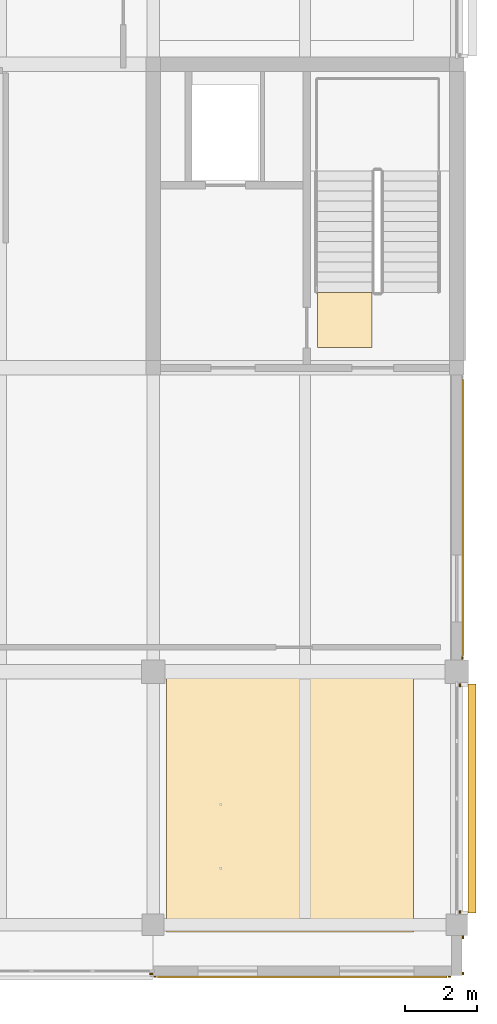
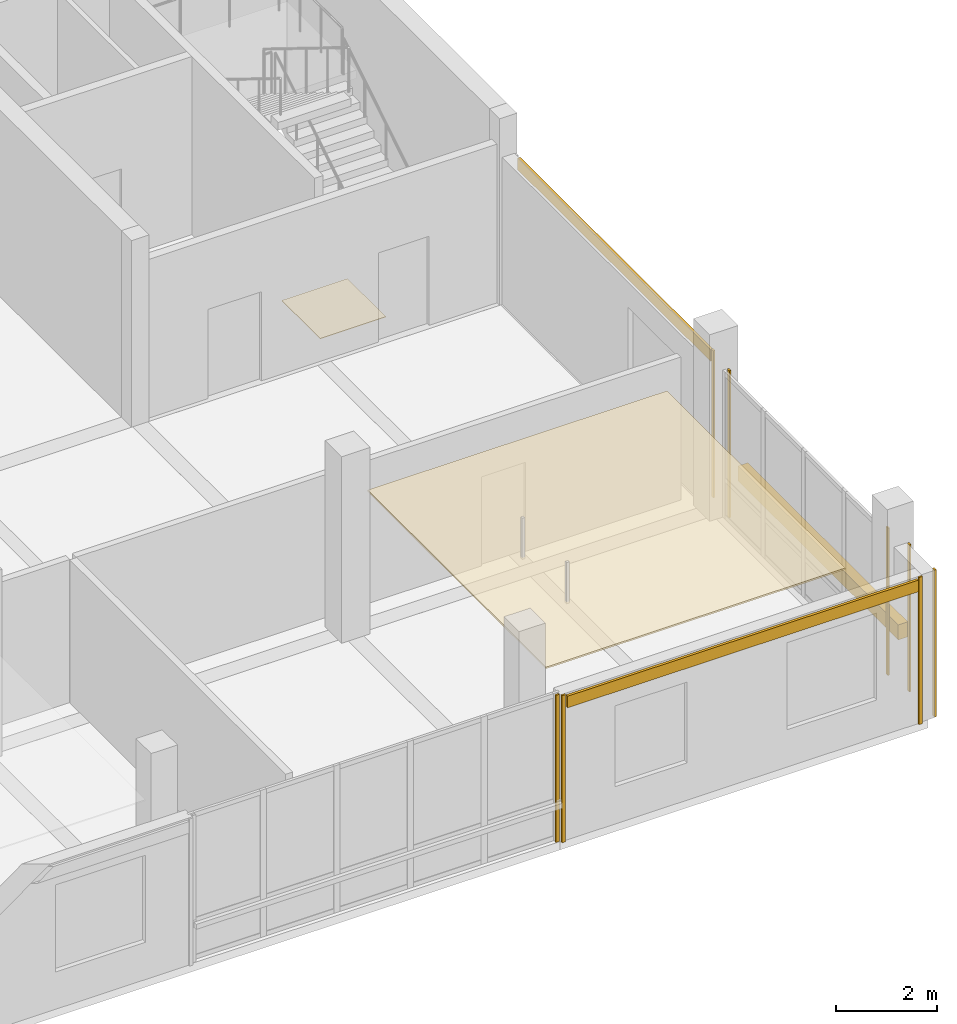
# One storey, part 26 of 29: 12 coverings, 1 shading device.
"""IFC4 building model written with IfcOpenShell, lengths in metres."""

import ifcopenshell
import ifcopenshell.guid

model = None  # the IFC model being written
_history = None  # IfcOwnerHistory: only IFC2X3 demands one
_inside = {}  # id of a spatial element -> (the spatial element, [elements in it])
_under = {}  # id of a project, library or spatial element -> (it, [spatial elements below it])
_declared = {}  # id of a project -> (the project, [libraries it declares])
_typed = {}  # id of a type object -> (the type object, [elements of that type])
_made_of = {}  # id of a material, layer set ... -> (it, [elements and type objects made of it])


def new_model(schema):
    """Start an empty IFC model of exactly this schema.

    Asked for "IFC4X3", IfcOpenShell would pick the latest addendum, in which some entities
    have other attributes; the version numbers below select the first issue.
    IFC2X3 requires an IfcOwnerHistory on every rooted entity: one is made here for all.
    """
    global model, _history
    if schema == "IFC4X3":
        model = ifcopenshell.file(schema_version=(4, 3, 0, 0))
    else:
        model = ifcopenshell.file(schema=schema)
    _inside.clear()
    _under.clear()
    _declared.clear()
    _typed.clear()
    _made_of.clear()
    _history = None
    if model.schema == "IFC2X3":
        org = make("IfcOrganization", Name="unknown")
        user = make(
            "IfcPersonAndOrganization",
            ThePerson=make("IfcPerson", FamilyName="unknown"),
            TheOrganization=org,
        )
        app = make(
            "IfcApplication",
            ApplicationDeveloper=org,
            Version="unknown",
            ApplicationFullName="unknown",
            ApplicationIdentifier="unknown",
        )
        _history = make(
            "IfcOwnerHistory",
            OwningUser=user,
            OwningApplication=app,
            ChangeAction="ADDED",
            CreationDate=0,
        )
    return model


def make(cls, **values):
    """One entity of the class cls with the attributes given. An attribute that is None is left unset."""
    return model.create_entity(
        cls, **{name: value for name, value in values.items() if value is not None}
    )


def rooted(cls, **values):
    """An entity with a GlobalId (a new one), such as an element, a storey or a relation."""
    return make(cls, GlobalId=ifcopenshell.guid.new(), OwnerHistory=_history, **values)


def si_unit(unit_type, name, prefix=None):
    """IfcSIUnit, for example si_unit("LENGTHUNIT", "METRE", prefix="MILLI")."""
    return make("IfcSIUnit", UnitType=unit_type, Prefix=prefix, Name=name)


def assignment(units):
    """IfcUnitAssignment: the units of a project."""
    return None if units is None else make("IfcUnitAssignment", Units=units)


def point(xyz):
    """IfcCartesianPoint."""
    return None if xyz is None else make("IfcCartesianPoint", Coordinates=xyz)


def direction(xyz):
    """IfcDirection."""
    return None if xyz is None else make("IfcDirection", DirectionRatios=xyz)


def frame(location, z_axis=None, x_axis=None):
    """IfcAxis2Placement3D, a coordinate frame: its origin and axes. An axis left out is left unset."""
    return make(
        "IfcAxis2Placement3D",
        Location=point(location),
        Axis=direction(z_axis),
        RefDirection=direction(x_axis),
    )


def frame_2d(location, x_axis=None):
    """IfcAxis2Placement2D, a coordinate frame in the plane: its origin and x axis."""
    return make(
        "IfcAxis2Placement2D", Location=point(location), RefDirection=direction(x_axis)
    )


def origin():
    """The frame at (0, 0, 0) with its axes left unset."""
    return frame((0.0, 0.0, 0.0))


def origin_2d():
    """The frame at (0, 0) in the plane with its x axis left unset."""
    return frame_2d((0.0, 0.0))


def place(relative_to, where):
    """IfcLocalPlacement: puts the frame where relative to a parent placement (None: the world)."""
    return make(
        "IfcLocalPlacement", PlacementRelTo=relative_to, RelativePlacement=where
    )


def context(
    kind, dimensions, precision=None, world=None, true_north=None, identifier=None
):
    """IfcGeometricRepresentationContext, for example the 3D "Model" context."""
    return make(
        "IfcGeometricRepresentationContext",
        ContextIdentifier=identifier,
        ContextType=kind,
        CoordinateSpaceDimension=dimensions,
        Precision=precision,
        WorldCoordinateSystem=world,
        TrueNorth=true_north,
    )


def subcontext(parent, identifier, kind, view, scale=None):
    """IfcGeometricRepresentationSubContext, for example "Body" below "Model"."""
    return make(
        "IfcGeometricRepresentationSubContext",
        ContextIdentifier=identifier,
        ContextType=kind,
        ParentContext=parent,
        TargetScale=scale,
        TargetView=view,
    )


def project(units=None, contexts=None):
    """IfcProject with its units and contexts."""
    return rooted(
        "IfcProject",
        Name="project",
        RepresentationContexts=contexts,
        UnitsInContext=assignment(units),
    )


def spatial(cls, under=None, at=None, **own):
    """A site, building, storey or space (cls), placed at a placement, below another one or the project."""
    s = rooted(cls, ObjectPlacement=at, **own)
    if under is not None:
        _under.setdefault(under.id(), (under, []))[1].append(s)
    return s


def polyline(points):
    """IfcPolyline through the points."""
    return make("IfcPolyline", Points=[point(p) for p in points])


def profile(cls, at=None, kind="AREA", **sizes):
    """A parametric profile (cls). Its sizes go by their IFC names, for example OverallWidth=200.0."""
    return make(cls, ProfileType=kind, Position=at, **sizes)


def rectangle(**sizes):
    """IfcRectangleProfileDef."""
    return profile("IfcRectangleProfileDef", **sizes)


def outline(outer, holes=None, kind="AREA"):
    """IfcArbitraryClosedProfileDef: a profile drawn as a closed curve; with holes, ...WithVoids."""
    if holes is None:
        return make("IfcArbitraryClosedProfileDef", ProfileType=kind, OuterCurve=outer)
    return make(
        "IfcArbitraryProfileDefWithVoids",
        ProfileType=kind,
        OuterCurve=outer,
        InnerCurves=holes,
    )


def extrude(swept, where, along, depth):
    """IfcExtrudedAreaSolid: the profile swept, set in the frame where, extruded along a direction by depth."""
    return make(
        "IfcExtrudedAreaSolid",
        SweptArea=swept,
        Position=where,
        ExtrudedDirection=direction(along),
        Depth=depth,
    )


def shape(context_of_items, identifier, shape_type, items):
    """IfcShapeRepresentation: the items that make up one representation, for example the "Body"."""
    return make(
        "IfcShapeRepresentation",
        ContextOfItems=context_of_items,
        RepresentationIdentifier=identifier,
        RepresentationType=shape_type,
        Items=items,
    )


def material(Name=None, Category=None):
    """IfcMaterial."""
    return make("IfcMaterial", Name=Name, Category=Category)


def layer(
    of_material, thickness, ventilated=None, Name=None, Category=None, Priority=None
):
    """IfcMaterialLayer: one layer of a wall or slab, of a material (None: an air gap)."""
    return make(
        "IfcMaterialLayer",
        Material=of_material,
        LayerThickness=thickness,
        IsVentilated=ventilated,
        Name=Name,
        Category=Category,
        Priority=Priority,
    )


def layer_set(layers, Name=None):
    """IfcMaterialLayerSet."""
    return make("IfcMaterialLayerSet", MaterialLayers=layers, LayerSetName=Name)


def made_of(thing, what):
    """Note that an element or type object is made of a material, layer set ...; save() writes the relation."""
    if what is not None:
        _made_of.setdefault(what.id(), (what, []))[1].append(thing)
    return thing


def type_object(cls, material=None, **own):
    """A type object (cls), such as IfcWallType, which elements share."""
    return made_of(rooted(cls, **own), material)


def element(
    cls,
    number,
    at=None,
    inside=None,
    cuts=None,
    type_object=None,
    material=None,
    context=None,
    identifier="Body",
    shape_type=None,
    held_by="IfcProductDefinitionShape",
    body=None,
    shapes=None,
    **own,
):
    """One element of the class cls, such as IfcWall. Its Tag is "e" and its number.

    at: its placement. inside: the storey or other place that contains it. cuts: it is an
    opening in that element (IfcRelVoidsElement). A single representation is given by context,
    identifier, shape_type and body (its items); several are given by shapes. held_by: the class
    of the entity that holds the representations. save() writes the other relations.
    """
    e = rooted(cls, Tag="e%d" % number, ObjectPlacement=at, **own)
    if body is not None:
        shapes = [shape(context, identifier, shape_type, body)]
    if shapes is not None:
        e.Representation = make(held_by, Representations=shapes)
    if inside is not None:
        _inside.setdefault(inside.id(), (inside, []))[1].append(e)
    if cuts is not None:
        rooted(
            "IfcRelVoidsElement", RelatingBuildingElement=cuts, RelatedOpeningElement=e
        )
    if type_object is not None:
        _typed.setdefault(type_object.id(), (type_object, []))[1].append(e)
    return made_of(e, material)


def aggregate(whole, parts):
    """IfcRelAggregates: a whole, such as a stair, and the parts it consists of."""
    return rooted("IfcRelAggregates", RelatingObject=whole, RelatedObjects=parts)


def save(model, path):
    """Write the relations noted so far, then the file.

    IfcRelAggregates (storeys below a building ...), IfcRelContainedInSpatialStructure (elements
    in a storey), IfcRelDefinesByType, IfcRelAssociatesMaterial and IfcRelDeclares: one each for
    every whole, place, type object, material and project.
    """
    for whole, parts in _under.values():
        aggregate(whole, parts)
    for where, things in _inside.values():
        rooted(
            "IfcRelContainedInSpatialStructure",
            RelatedElements=things,
            RelatingStructure=where,
        )
    for kind, things in _typed.values():
        rooted("IfcRelDefinesByType", RelatedObjects=things, RelatingType=kind)
    for what, things in _made_of.values():
        rooted("IfcRelAssociatesMaterial", RelatedObjects=things, RelatingMaterial=what)
    for by, libraries in _declared.values():
        rooted("IfcRelDeclares", RelatingContext=by, RelatedDefinitions=libraries)
    model.write(path)


model = new_model("IFC4")

# Units and contexts
model_context = context("Model", 3, precision=1e-05, world=origin(), true_north=direction((0.0, 1.0)))
body_context = subcontext(model_context, "Body", "Model", "MODEL_VIEW")
ifc_project = project(units=[si_unit("LENGTHUNIT", "METRE"), si_unit("AREAUNIT", "SQUARE_METRE"), si_unit("VOLUMEUNIT", "CUBIC_METRE"), si_unit("PLANEANGLEUNIT", "RADIAN"), si_unit("MASSUNIT", "GRAM", prefix="KILO")], contexts=[model_context])

# Site, building, storey
site_placement = place(None, origin())
site = spatial("IfcSite", under=ifc_project, at=site_placement, CompositionType="ELEMENT")
building_placement = place(site_placement, origin())
building = spatial("IfcBuilding", under=site, at=building_placement, Name="Telukmera Botanical Conservatory", CompositionType="ELEMENT")
storey_placement = place(building_placement, frame((0.0, 0.0, 55.5)))
storey = spatial("IfcBuildingStorey", under=building, at=storey_placement, Name="L12", CompositionType="ELEMENT", Elevation=55.5)

# Coverings
ifc_material_1 = material(Name="Perforated gypsum acoustic ceiling")
ifc_layer_1 = layer(ifc_material_1, 0.0400390625)
ifc_layer_set_1 = layer_set([ifc_layer_1], Name="Perforated gypsum acoustic ceiling")
covering_type_1 = type_object("IfcCoveringType", Name="COV-CEIL-40", PredefinedType="CEILING", material=ifc_layer_set_1)
covering_1_placement = place(storey_placement, frame((0.0, 0.0, 3.31005859375)))
element("IfcCovering", 1, at=covering_1_placement, inside=storey, type_object=covering_type_1, Name="L12 Laboratory Write-Up Studio Suspended Acoustic Ceiling", PredefinedType="CEILING", context=body_context, shape_type="SweptSolid", body=[
    extrude(outline(polyline([(92.77001953125, 10.39990234375), (99.60009765625, 10.39990234375), (99.60009765625, 17.449951171875), (92.77001953125, 17.449951171875), (92.77001953125, 10.39990234375)])), origin(), (0.0, 0.0, 1.0), 0.0400390625),
])
ifc_material_2 = material(Name="Honed granite non-slip flooring", Category="masonry")
ifc_layer_2 = layer(ifc_material_2, 0.011962890625)
ifc_layer_set_2 = layer_set([ifc_layer_2], Name="Honed granite non-slip flooring")
covering_type_2 = type_object("IfcCoveringType", Name="COV-FLR-12", PredefinedType="FLOORING", material=ifc_layer_set_2)
covering_2_placement = place(storey_placement, origin())
element("IfcCovering", 2, at=covering_2_placement, inside=storey, type_object=covering_type_2, Name="L12 ST2 Non-Slip Stair Landing Finish", PredefinedType="FLOORING", context=body_context, shape_type="SweptSolid", body=[
    extrude(outline(polyline([(98.449951171875, 26.570068359375), (98.449951171875, 28.0849609375), (96.949951171875, 28.0849609375), (96.949951171875, 26.570068359375), (98.449951171875, 26.570068359375)])), origin(), (0.0, 0.0, 1.0), 0.011962890625),
])
ifc_material_3 = material(Name="Granite-faced precast concrete C40/50", Category="masonry")
ifc_layer_3 = layer(ifc_material_3, 0.0400390625)
ifc_layer_set_3 = layer_set([ifc_layer_3], Name="Granite-faced precast concrete C40/50")
covering_type_3 = type_object("IfcCoveringType", Name="Granite Precast Column Pier Reveal Casing", PredefinedType="CLADDING", material=ifc_layer_set_3)
for number, where, z_axis, x_axis, name in (
    (3, (100.969970703125, 9.25, 0.0), (0.0, 0.0, 1.0), (0.0, 1.0, 0.0), "Granite Pier Reveal V4:L12:SEC L"),
    (4, (100.969970703125, 10.248046875, 0.0), (0.0, 0.0, 1.0), (0.0, 1.0, 0.0), "Granite Pier Reveal V4:L12:SEC R"),
    (5, (92.347900390625, 9.22998046875, 0.0), (0.0, 0.0, 1.0), (1.0, 0.0, 0.0), "Granite Pier Reveal V4:L12:S4 R"),
    (6, (92.451904296875, 9.159912109375, 0.0), (0.0, 0.0, 1.0), (1.0, 0.0, 0.0), "Granite Pier Reveal V4:L12:S5 L"),
    (7, (100.597900390625, 9.159912109375, 0.0), (0.0, 0.0, 1.0), (1.0, 0.0, 0.0), "Granite Pier Reveal V4:L12:S5 R"),
    (8, (100.889892578125, 10.951904296875, 0.0), (0.0, 0.0, 1.0), (0.0, 1.0, 0.0), "Granite Pier Reveal V4:L12:E1 L"),
    (9, (100.889892578125, 17.222900390625, 0.0), (0.0, 0.0, 1.0), (0.0, 1.0, 0.0), "Granite Pier Reveal V4:L12:E1 R"),
    (10, (100.9599609375, 17.97705078125, 0.0), (0.0, 0.0, 1.0), (0.0, 1.0, 0.0), "Granite Pier Reveal V4:L12:E2 L"),
):
    element("IfcCovering", number, at=place(storey_placement, frame(where, z_axis=z_axis, x_axis=x_axis)), inside=storey, type_object=covering_type_3, Name=name, PredefinedType="CLADDING", context=body_context, shape_type="SweptSolid", body=[
        extrude(rectangle(XDim=0.080078125, YDim=0.0400390625, at=origin_2d()), origin(), (0.0, 0.0, 1.0), 3.550048828125),
    ])

# Shading device
ifc_material_4 = material(Name="Perforated terracotta-anodised aluminium 6063-T6", Category="masonry")
ifc_layer_4 = layer(ifc_material_4, 0.050048828125)
ifc_layer_set_4 = layer_set([ifc_layer_4], Name="Perforated terracotta-anodised aluminium 6063-T6")
shading_device_type = type_object("IfcShadingDeviceType", Name="Operable Monsoon Solar Louvre Shutter Bank", PredefinedType="SHUTTER", material=ifc_layer_set_4)
shading_device_placement = place(storey_placement, frame((101.219970703125, 14.08740234375, 0.77001953125), z_axis=(0.0, 0.0, 1.0), x_axis=(0.0, 1.0, 0.0)))
element("IfcShadingDevice", 11, at=shading_device_placement, inside=storey, type_object=shading_device_type, Name="Monsoon Shading SH01 V4:L12:E1", PredefinedType="SHUTTER", context=body_context, shape_type="SweptSolid", body=[
    extrude(rectangle(XDim=6.3310546875, YDim=0.219970703125, at=origin_2d()), origin(), (0.0, 0.0, 1.0), 0.360107421875),
])

# Coverings
ifc_material_5 = material(Name="Terracotta-faced precast concrete C40/50", Category="masonry")
ifc_layer_5 = layer(ifc_material_5, 0.06005859375)
ifc_layer_set_5 = layer_set([ifc_layer_5], Name="Terracotta-faced precast concrete C40/50")
covering_type_4 = type_object("IfcCoveringType", Name="Polychrome Terracotta Facade Band Cladding", PredefinedType="CLADDING", material=ifc_layer_set_5)
covering_3_placement = place(storey_placement, frame((96.52490234375, 9.14990234375, 3.22998046875), z_axis=(0.0, 0.0, 1.0), x_axis=(1.0, 0.0, 0.0)))
element("IfcCovering", 12, at=covering_3_placement, inside=storey, type_object=covering_type_4, Name="Polychrome Terracotta Band V4:L12:S5", PredefinedType="CLADDING", context=body_context, shape_type="SweptSolid", body=[
    extrude(rectangle(XDim=8.006103515625, YDim=0.06005859375, at=origin_2d()), origin(), (0.0, 0.0, 1.0), 0.280029296875),
])
covering_4_placement = place(storey_placement, frame((100.969970703125, 21.862548828125, 3.22998046875), z_axis=(0.0, 0.0, 1.0), x_axis=(0.0, 1.0, 0.0)))
element("IfcCovering", 13, at=covering_4_placement, inside=storey, type_object=covering_type_4, Name="Polychrome Terracotta Band V4:L12:E2", PredefinedType="CLADDING", context=body_context, shape_type="SweptSolid", body=[
    extrude(rectangle(XDim=7.631103515625, YDim=0.06005859375, at=origin_2d()), origin(), (0.0, 0.0, 1.0), 0.280029296875),
])

save(model, "model.ifc")
